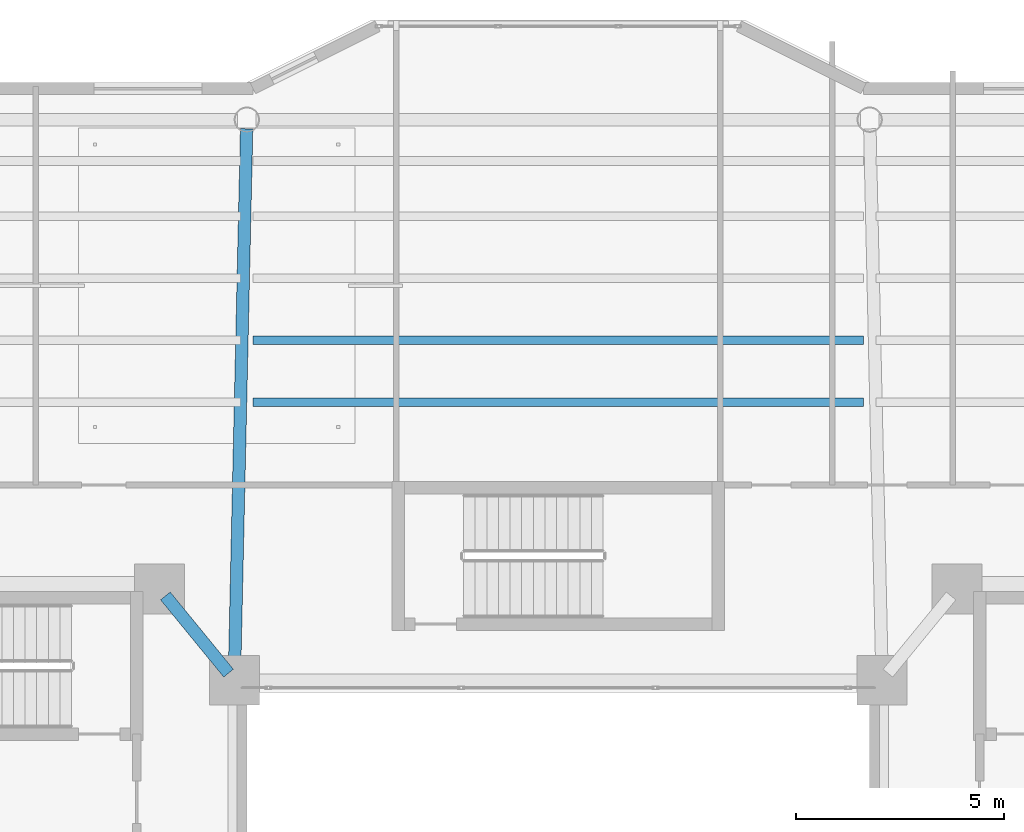
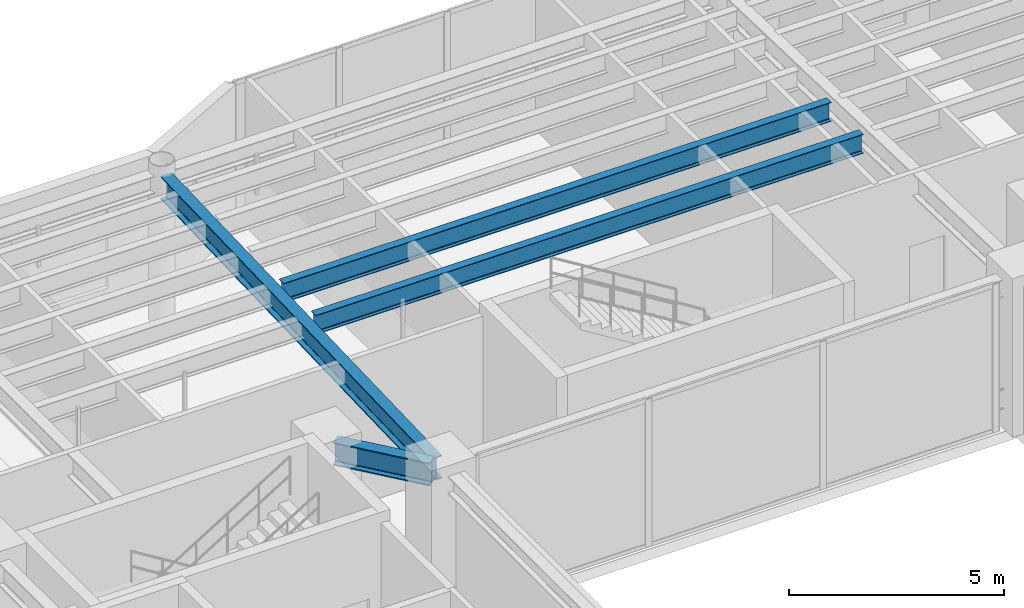
# One storey, part 22 of 38: 4 beams.
"""IFC4 building model written with IfcOpenShell, lengths in metres."""

from ifc_helpers import new_model, si_unit, direction, frame, origin, origin_2d, place, context, subcontext, project, spatial, i_section, extrude, material, material_profile, profile_set, type_object, element, save


model = new_model("IFC4")

# Units and contexts
model_context = context("Model", 3, precision=1e-05, world=origin(), true_north=direction((0.0, 1.0)))
body_context = subcontext(model_context, "Body", "Model", "MODEL_VIEW")
ifc_project = project(units=[si_unit("LENGTHUNIT", "METRE"), si_unit("AREAUNIT", "SQUARE_METRE"), si_unit("VOLUMEUNIT", "CUBIC_METRE"), si_unit("PLANEANGLEUNIT", "RADIAN"), si_unit("MASSUNIT", "GRAM", prefix="KILO")], contexts=[model_context])

# Site, building, storey
site_placement = place(None, origin())
site = spatial("IfcSite", under=ifc_project, at=site_placement, CompositionType="ELEMENT")
building_placement = place(site_placement, origin())
building = spatial("IfcBuilding", under=site, at=building_placement, Name="Tarnavaz Court Tower", CompositionType="ELEMENT")
storey_placement = place(building_placement, frame((0.0, 0.0, 123.0)))
storey = spatial("IfcBuildingStorey", under=building, at=storey_placement, Name="L33", CompositionType="ELEMENT", Elevation=123.0)

# Beams
ifc_material = material(Name="Steel S355", Category="steel")
ifc_material_profile_1 = material_profile(ifc_material, i_section(OverallWidth=0.300048828125, OverallDepth=0.64990234375, WebThickness=0.01611328125, FlangeThickness=0.031005859375, FilletRadius=0.027099609375, at=origin_2d()), Name="HEB 650")
ifc_profile_set_1 = profile_set([ifc_material_profile_1], Name="Steel S355")
beam_type_1 = type_object("IfcBeamType", Name="BM-G-HEB650", PredefinedType="USERDEFINED", material=ifc_profile_set_1)
beam_1_placement = place(storey_placement, frame((-9.460693359375, 9.82958984375, 3.875), z_axis=(0.633282058357, -0.773921077735, 0.0), x_axis=(0.773921077735, 0.633282058357, 0.0)))
element("IfcBeam", 1, at=beam_1_placement, inside=storey, type_object=beam_type_1, Name="L33 Beam IN-CW-NI-IW-NW", ObjectType="GIRDER", PredefinedType="USERDEFINED", context=body_context, shape_type="SweptSolid", body=[
    extrude(i_section(OverallWidth=0.300048828125, OverallDepth=0.64990234375, WebThickness=0.01611328125, FlangeThickness=0.031005859375, FilletRadius=0.027099609375, at=origin_2d()), origin(), (0.0, 0.0, 1.0), 2.402587890625),
])
beam_2_placement = place(storey_placement, frame((-7.795166015625, 8.02001953125, 3.875), z_axis=(0.022221303469, 0.99975307635, 0.0), x_axis=(-0.99975307635, 0.022221303469, 0.0)))
element("IfcBeam", 2, at=beam_2_placement, inside=storey, type_object=beam_type_1, Name="L33 Beam RG-02", ObjectType="GIRDER", PredefinedType="USERDEFINED", context=body_context, shape_type="SweptSolid", body=[
    extrude(i_section(OverallWidth=0.300048828125, OverallDepth=0.64990234375, WebThickness=0.01611328125, FlangeThickness=0.031005859375, FilletRadius=0.027099609375, at=origin_2d()), origin(), (0.0, 0.0, 1.0), 13.063232421875),
])
ifc_material_profile_2 = material_profile(ifc_material, i_section(OverallWidth=0.2099609375, OverallDepth=0.550048828125, WebThickness=0.010986328125, FlangeThickness=0.01708984375, FilletRadius=0.02392578125, at=origin_2d()), Name="IPE 550")
ifc_profile_set_2 = profile_set([ifc_material_profile_2], Name="Steel S355")
beam_type_2 = type_object("IfcBeamType", Name="BM-J-IPE550", PredefinedType="JOIST", material=ifc_profile_set_2)
for number, where, z_axis, x_axis, name in (
    (3, (-7.35009765625, 14.493896484375, 3.925048828125), (1.0, 0.0, 0.0), (0.0, 1.0, 0.0), "L33 Beam JN1-2"),
    (4, (-7.35009765625, 15.988037109375, 3.925048828125), (1.0, 0.0, 0.0), (0.0, 1.0, 0.0), "L33 Beam JN2-2"),
):
    element("IfcBeam", number, at=place(storey_placement, frame(where, z_axis=z_axis, x_axis=x_axis)), inside=storey, type_object=beam_type_2, Name=name, PredefinedType="JOIST", context=body_context, shape_type="SweptSolid", body=[
        extrude(i_section(OverallWidth=0.2099609375, OverallDepth=0.550048828125, WebThickness=0.010986328125, FlangeThickness=0.01708984375, FilletRadius=0.02392578125, at=origin_2d()), origin(), (0.0, 0.0, 1.0), 14.7001953125),
    ])

save(model, "model.ifc")
